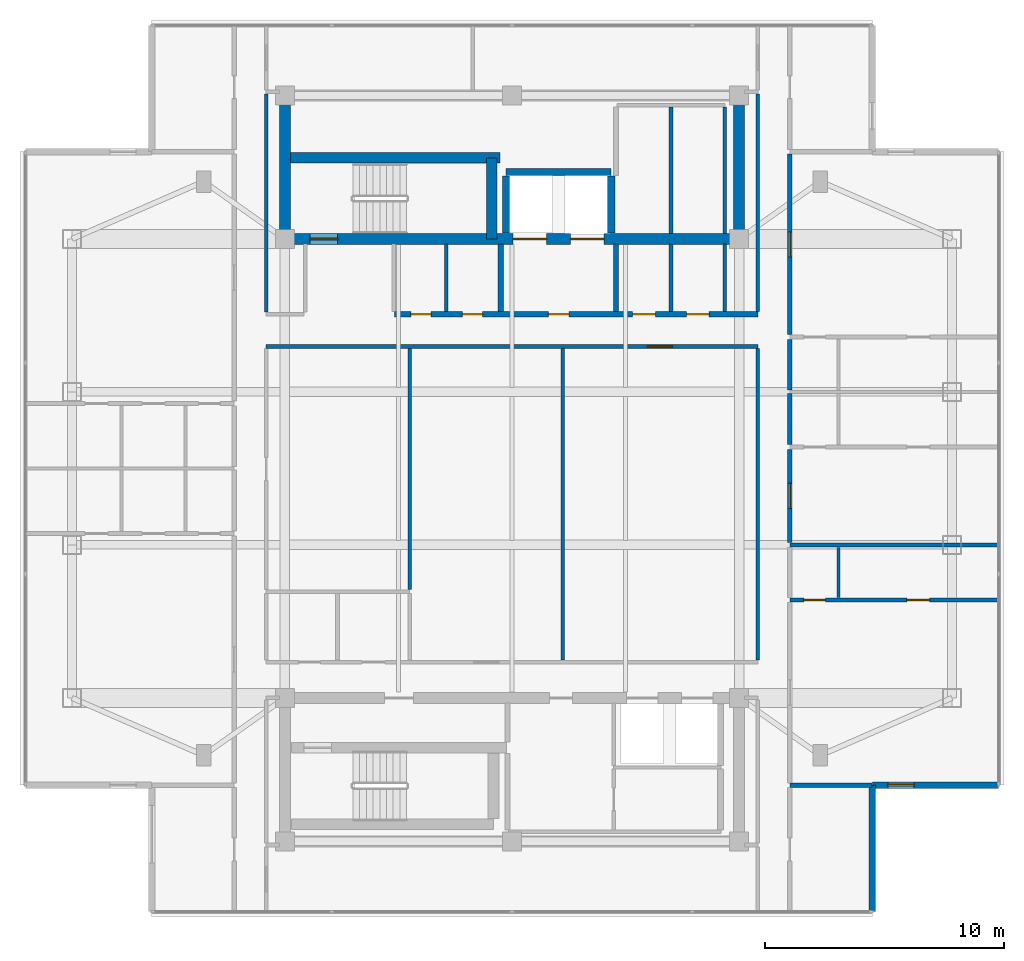
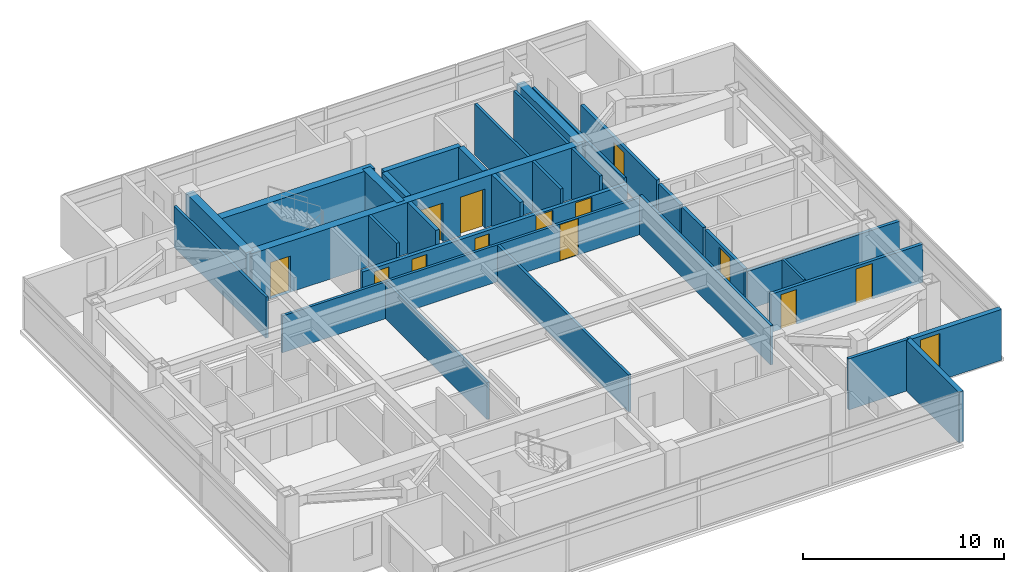
# One storey, part 8 of 12: 32 walls, 13 doors, 1 window, 14 openings.
"""IFC4 building model written with IfcOpenShell, lengths in metres."""

from ifc_helpers import new_model, si_unit, direction, frame, frame_2d, origin, place, context, subcontext, project, spatial, rectangle, extrude, material, layer, layer_set, type_object, element, fill, save


model = new_model("IFC4")

# Units and contexts
model_context = context("Model", 3, precision=1e-05, world=origin(), true_north=direction((0.0, 1.0)))
body_context = subcontext(model_context, "Body", "Model", "MODEL_VIEW")
ifc_project = project(units=[si_unit("LENGTHUNIT", "METRE"), si_unit("AREAUNIT", "SQUARE_METRE"), si_unit("VOLUMEUNIT", "CUBIC_METRE"), si_unit("PLANEANGLEUNIT", "RADIAN"), si_unit("MASSUNIT", "GRAM", prefix="KILO")], contexts=[model_context])

# Site, building, storey
site_placement = place(None, origin())
site = spatial("IfcSite", under=ifc_project, at=site_placement, CompositionType="ELEMENT")
building_placement = place(site_placement, origin())
building = spatial("IfcBuilding", under=site, at=building_placement, Name="Mirazonda Arch Towers", CompositionType="ELEMENT")
storey_placement = place(building_placement, frame((0.0, 0.0, 222.699951171875)))
storey = spatial("IfcBuildingStorey", under=building, at=storey_placement, Name="L63", CompositionType="ELEMENT", Elevation=222.699951171875)

# Walls
ifc_material_1 = material(Name="Concrete C50/60", Category="concrete")
ifc_layer_1 = layer(ifc_material_1, 0.449951171875, Name="WALL-CORE-450")
ifc_layer_set_1 = layer_set([ifc_layer_1], Name="Concrete C50/60")
wall_type_1 = type_object("IfcWallType", Name="WALL-CORE-450", PredefinedType="SHEAR", material=ifc_layer_set_1)
for number, where, z_axis, x_axis, name in (
    (1, (11.0, 37.60009765625, 0.0), (0.0, 0.0, 1.0), (0.0, 1.0, 0.0), "L63 T1N-W Core Shear Wall"),
    (2, (30.0, 37.60009765625, 0.0), (0.0, 0.0, 1.0), (0.0, 1.0, 0.0), "L63 T1N-E Core Shear Wall"),
):
    element("IfcWall", number, at=place(storey_placement, frame(where, z_axis=z_axis, x_axis=x_axis)), inside=storey, type_object=wall_type_1, Name=name, PredefinedType="SHEAR", context=body_context, shape_type="SweptSolid", body=[
        extrude(rectangle(XDim=6.0, YDim=0.449951171875, at=frame_2d((3.0, 0.0))), origin(), (0.0, 0.0, 1.0), 3.10009765625),
    ])

# Wall, openings, doors
wall_1_placement = place(storey_placement, frame((11.0, 37.60009765625, 0.0), z_axis=(0.0, 0.0, 1.0), x_axis=(1.0, 0.0, 0.0)))
wall_1 = element("IfcWall", 3, at=wall_1_placement, inside=storey, type_object=wall_type_1, Name="L63 T1N-S Core Shear Wall", PredefinedType="SHEAR", context=body_context, shape_type="SweptSolid", body=[
    extrude(rectangle(XDim=19.0, YDim=0.449951171875, at=frame_2d((9.5, 0.0))), origin(), (0.0, 0.0, 1.0), 3.10009765625),
])
opening_1_placement = place(wall_1_placement, frame((1.06005859375, 0.0, 0.0)))
opening_1 = element("IfcOpeningElement", 4, at=opening_1_placement, cuts=wall_1, Name="Opening DR-135", PredefinedType="OPENING", context=body_context, shape_type="SweptSolid", body=[
    extrude(rectangle(XDim=1.14990234375, YDim=2.199951171875, at=frame_2d((0.574951171875, 1.10009765625))), frame((0.0, 0.23486328125, 0.0), z_axis=(0.0, -1.0, 0.0), x_axis=(1.0, 0.0, 0.0)), (0.0, 0.0, 1.0), 0.469970703125),
])
opening_2_placement = place(wall_1_placement, frame((9.550048828125, 0.0, 0.0)))
opening_2 = element("IfcOpeningElement", 5, at=opening_2_placement, cuts=wall_1, Name="Opening LD-112", PredefinedType="OPENING", context=body_context, shape_type="SweptSolid", body=[
    extrude(rectangle(XDim=1.39990234375, YDim=2.35009765625, at=frame_2d((0.699951171875, 1.175048828125))), frame((0.0, 0.23486328125, 0.0), z_axis=(0.0, -1.0, 0.0), x_axis=(1.0, 0.0, 0.0)), (0.0, 0.0, 1.0), 0.469970703125),
])
opening_3_placement = place(wall_1_placement, frame((11.949951171875, 0.0, 0.0)))
opening_3 = element("IfcOpeningElement", 6, at=opening_3_placement, cuts=wall_1, Name="Opening LD-112", PredefinedType="OPENING", context=body_context, shape_type="SweptSolid", body=[
    extrude(rectangle(XDim=1.39990234375, YDim=2.35009765625, at=frame_2d((0.699951171875, 1.175048828125))), frame((0.0, 0.23486328125, 0.0), z_axis=(0.0, -1.0, 0.0), x_axis=(1.0, 0.0, 0.0)), (0.0, 0.0, 1.0), 0.469970703125),
])
ifc_material_2 = material(Name="Architectural Brushed Steel S355", Category="steel")
door_type_1 = type_object("IfcDoorType", Name="DOOR-LIFT-FFL-1400", OperationType="NOTDEFINED", PredefinedType="DOOR", material=ifc_material_2)
door_1_placement = place(opening_2_placement, origin())
door_1 = element("IfcDoor", 7, at=door_1_placement, inside=storey, type_object=door_type_1, Name="L63 Lift Landing Sliding Door FFL-T1", OperationType="DOUBLE_DOOR_SLIDING", OverallHeight=2.35009765625, OverallWidth=1.39990234375, PredefinedType="DOOR", context=body_context, shape_type="SweptSolid", body=[
    extrude(rectangle(XDim=1.39990234375, YDim=2.35009765625, at=frame_2d((0.699951171875, 1.175048828125))), frame((0.0, 0.02490234375, 0.0), z_axis=(0.0, -1.0, 0.0), x_axis=(1.0, 0.0, 0.0)), (0.0, 0.0, 1.0), 0.050048828125),
])
fill(opening_2, door_1)
door_2_placement = place(opening_3_placement, origin())
door_2 = element("IfcDoor", 8, at=door_2_placement, inside=storey, type_object=door_type_1, Name="L63 Lift Landing Sliding Door SVL-T1", OperationType="DOUBLE_DOOR_SLIDING", OverallHeight=2.35009765625, OverallWidth=1.39990234375, PredefinedType="DOOR", context=body_context, shape_type="SweptSolid", body=[
    extrude(rectangle(XDim=1.39990234375, YDim=2.35009765625, at=frame_2d((0.699951171875, 1.175048828125))), frame((0.0, 0.02490234375, 0.0), z_axis=(0.0, -1.0, 0.0), x_axis=(1.0, 0.0, 0.0)), (0.0, 0.0, 1.0), 0.050048828125),
])
fill(opening_3, door_2)
door_type_2 = type_object("IfcDoorType", Name="DOOR-STAIR-FD90-1150", OperationType="NOTDEFINED", PredefinedType="DOOR", material=ifc_material_2)
door_3_placement = place(opening_1_placement, origin())
door_3 = element("IfcDoor", 9, at=door_3_placement, inside=storey, type_object=door_type_2, Name="L63 Protected Exit Stair North Door", OperationType="SINGLE_SWING_LEFT", OverallHeight=2.199951171875, OverallWidth=1.14990234375, PredefinedType="DOOR", context=body_context, shape_type="SweptSolid", body=[
    extrude(rectangle(XDim=1.14990234375, YDim=2.199951171875, at=frame_2d((0.574951171875, 1.10009765625))), frame((0.0, 0.02490234375, 0.0), z_axis=(0.0, -1.0, 0.0), x_axis=(1.0, 0.0, 0.0)), (0.0, 0.0, 1.0), 0.050048828125),
])
fill(opening_1, door_3)

# Walls
wall_2_placement = place(storey_placement, frame((11.0, 40.992919921875, 0.0), z_axis=(0.0, 0.0, 1.0), x_axis=(1.0, 0.0, 0.0)))
element("IfcWall", 10, at=wall_2_placement, inside=storey, type_object=wall_type_1, Name="L63 T1N-STN Core Shear Wall", PredefinedType="SHEAR", context=body_context, shape_type="SweptSolid", body=[
    extrude(rectangle(XDim=9.0, YDim=0.449951171875, at=frame_2d((4.5, 0.0))), origin(), (0.0, 0.0, 1.0), 3.10009765625),
])
wall_3_placement = place(storey_placement, frame((19.64990234375, 37.60009765625, 0.0), z_axis=(0.0, 0.0, 1.0), x_axis=(0.0, 1.0, 0.0)))
element("IfcWall", 11, at=wall_3_placement, inside=storey, type_object=wall_type_1, Name="L63 T1N-STE Core Shear Wall", PredefinedType="SHEAR", context=body_context, shape_type="SweptSolid", body=[
    extrude(rectangle(XDim=3.392822265625, YDim=0.449951171875, at=frame_2d((1.6962890625, 0.0))), origin(), (0.0, 0.0, 1.0), 3.10009765625),
])

# Wall, opening, window
ifc_material_3 = material(Name="Precast Concrete C40/50", Category="concrete")
ifc_layer_2 = layer(ifc_material_3, 0.280029296875, Name="WALL-EXT-WALL-280")
ifc_layer_set_2 = layer_set([ifc_layer_2], Name="Precast Concrete C40/50")
wall_type_2 = type_object("IfcWallType", Name="WALL-EXT-WALL-280", PredefinedType="SOLIDWALL", material=ifc_layer_set_2)
wall_4_placement = place(storey_placement, frame((35.570068359375, 14.751953125, 0.0), z_axis=(0.0, 0.0, 1.0), x_axis=(1.0, 0.0, 0.0)))
wall_4 = element("IfcWall", 12, at=wall_4_placement, inside=storey, type_object=wall_type_2, Name="L63 T1 Corner Notch Return Wall WL-L63-T1-CSE1", PredefinedType="SOLIDWALL", context=body_context, shape_type="SweptSolid", body=[
    extrude(rectangle(XDim=5.2900390625, YDim=0.280029296875, at=frame_2d((2.64501953125, 0.0))), origin(), (0.0, 0.0, 1.0), 3.080078125),
])
opening_4_placement = place(wall_4_placement, frame((0.64990234375, 0.0, 0.85009765625)))
opening_4 = element("IfcOpeningElement", 13, at=opening_4_placement, cuts=wall_4, Name="Opening WN-108", PredefinedType="OPENING", context=body_context, shape_type="SweptSolid", body=[
    extrude(rectangle(XDim=1.10009765625, YDim=2.0, at=frame_2d((0.550048828125, 1.0))), frame((0.0, 0.14990234375, 0.0), z_axis=(0.0, -1.0, 0.0), x_axis=(1.0, 0.0, 0.0)), (0.0, 0.0, 1.0), 0.300048828125),
])
ifc_material_4 = material(Name="Insulated Low-E Solar Glass", Category="glass")
window_type = type_object("IfcWindowType", Name="WIN-NOTCH-1100x2000", PartitioningType="SINGLE_PANEL", PredefinedType="WINDOW", material=ifc_material_4)
window_placement = place(opening_4_placement, origin())
window = element("IfcWindow", 14, at=window_placement, inside=storey, type_object=window_type, Name="L63 Punched Facade Window WN-L63-T1-CSE1", OverallHeight=2.0, OverallWidth=1.10009765625, PartitioningType="SINGLE_PANEL", PredefinedType="WINDOW", context=body_context, shape_type="SweptSolid", body=[
    extrude(rectangle(XDim=1.10009765625, YDim=2.0, at=frame_2d((0.550048828125, 1.0))), frame((0.0, 0.030029296875, 0.0), z_axis=(0.0, -1.0, 0.0), x_axis=(1.0, 0.0, 0.0)), (0.0, 0.0, 1.0), 0.06005859375),
])
fill(opening_4, window)

# Wall
wall_5_placement = place(storey_placement, frame((35.570068359375, 9.4619140625, 0.0), z_axis=(0.0, 0.0, 1.0), x_axis=(0.0, 1.0, 0.0)))
element("IfcWall", 15, at=wall_5_placement, inside=storey, type_object=wall_type_2, Name="L63 T1 Corner Notch Return Wall WL-L63-T1-CSE2", PredefinedType="SOLIDWALL", context=body_context, shape_type="SweptSolid", body=[
    extrude(rectangle(XDim=5.2900390625, YDim=0.280029296875, at=frame_2d((2.64501953125, 0.0))), origin(), (0.0, 0.0, 1.0), 3.080078125),
])

# Wall, openings, doors
ifc_material_5 = material(Name="Concrete C40/50", Category="concrete")
ifc_layer_3 = layer(ifc_material_5, 0.219970703125, Name="WALL-FFL-220")
ifc_layer_set_3 = layer_set([ifc_layer_3], Name="Concrete C40/50")
wall_type_3 = type_object("IfcWallType", Name="WALL-FFL-220", PredefinedType="SOLIDWALL", material=ifc_layer_set_3)
wall_6_placement = place(storey_placement, frame((15.590087890625, 34.449951171875, 0.0), z_axis=(0.0, 0.0, 1.0), x_axis=(1.0, 0.0, 0.0)))
wall_6 = element("IfcWall", 16, at=wall_6_placement, inside=storey, type_object=wall_type_3, Name="L63 Interior Partition 023", PredefinedType="SOLIDWALL", context=body_context, shape_type="SweptSolid", body=[
    extrude(rectangle(XDim=15.18994140625, YDim=0.219970703125, at=frame_2d((7.594970703125, 0.0))), origin(), (0.0, 0.0, 1.0), 2.236083984375),
])
opening_5_placement = place(wall_6_placement, frame((6.43505859375, 0.0, 0.0)))
opening_5 = element("IfcOpeningElement", 17, at=opening_5_placement, cuts=wall_6, Name="Opening DR-128", PredefinedType="OPENING", context=body_context, shape_type="SweptSolid", body=[
    extrude(rectangle(XDim=0.85009765625, YDim=2.010009765625, at=frame_2d((0.425048828125, 1.0048828125))), frame((0.0, 0.119873046875, 0.0), z_axis=(0.0, -1.0, 0.0), x_axis=(1.0, 0.0, 0.0)), (0.0, 0.0, 1.0), 0.239990234375),
])
opening_6_placement = place(wall_6_placement, frame((9.9599609375, 0.0, 0.0)))
opening_6 = element("IfcOpeningElement", 18, at=opening_6_placement, cuts=wall_6, Name="Opening DR-104", PredefinedType="OPENING", context=body_context, shape_type="SweptSolid", body=[
    extrude(rectangle(XDim=0.949951171875, YDim=2.14990234375, at=frame_2d((0.47509765625, 1.074951171875))), frame((0.0, 0.119873046875, 0.0), z_axis=(0.0, -1.0, 0.0), x_axis=(1.0, 0.0, 0.0)), (0.0, 0.0, 1.0), 0.239990234375),
])
opening_7_placement = place(wall_6_placement, frame((12.2099609375, 0.0, 0.0)))
opening_7 = element("IfcOpeningElement", 19, at=opening_7_placement, cuts=wall_6, Name="Opening DR-104", PredefinedType="OPENING", context=body_context, shape_type="SweptSolid", body=[
    extrude(rectangle(XDim=0.949951171875, YDim=2.14990234375, at=frame_2d((0.47509765625, 1.074951171875))), frame((0.0, 0.119873046875, 0.0), z_axis=(0.0, -1.0, 0.0), x_axis=(1.0, 0.0, 0.0)), (0.0, 0.0, 1.0), 0.239990234375),
])
opening_8_placement = place(wall_6_placement, frame((0.675048828125, 0.0, 0.0)))
opening_8 = element("IfcOpeningElement", 20, at=opening_8_placement, cuts=wall_6, Name="Opening DR-128", PredefinedType="OPENING", context=body_context, shape_type="SweptSolid", body=[
    extrude(rectangle(XDim=0.85009765625, YDim=2.010009765625, at=frame_2d((0.425048828125, 1.0048828125))), frame((0.0, 0.119873046875, 0.0), z_axis=(0.0, -1.0, 0.0), x_axis=(1.0, 0.0, 0.0)), (0.0, 0.0, 1.0), 0.239990234375),
])
opening_9_placement = place(wall_6_placement, frame((2.8349609375, 0.0, 0.0)))
opening_9 = element("IfcOpeningElement", 21, at=opening_9_placement, cuts=wall_6, Name="Opening DR-128", PredefinedType="OPENING", context=body_context, shape_type="SweptSolid", body=[
    extrude(rectangle(XDim=0.85009765625, YDim=2.010009765625, at=frame_2d((0.425048828125, 1.0048828125))), frame((0.0, 0.119873046875, 0.0), z_axis=(0.0, -1.0, 0.0), x_axis=(1.0, 0.0, 0.0)), (0.0, 0.0, 1.0), 0.239990234375),
])
door_type_3 = type_object("IfcDoorType", Name="DOOR-RISER-FD60-850", OperationType="NOTDEFINED", PredefinedType="DOOR", material=ifc_material_2)
door_4_placement = place(opening_5_placement, origin())
door_4 = element("IfcDoor", 22, at=door_4_placement, inside=storey, type_object=door_type_3, Name="L63 Firefighting Lift Lobby Door", OperationType="SINGLE_SWING_RIGHT", OverallHeight=2.010009765625, OverallWidth=0.85009765625, PredefinedType="DOOR", context=body_context, shape_type="SweptSolid", body=[
    extrude(rectangle(XDim=0.85009765625, YDim=2.010009765625, at=frame_2d((0.425048828125, 1.0048828125))), frame((0.0, 0.02490234375, 0.0), z_axis=(0.0, -1.0, 0.0), x_axis=(1.0, 0.0, 0.0)), (0.0, 0.0, 1.0), 0.050048828125),
])
fill(opening_5, door_4)
door_5_placement = place(opening_8_placement, origin())
door_5 = element("IfcDoor", 23, at=door_5_placement, inside=storey, type_object=door_type_3, Name="L63 Electrical Room Door", OperationType="SINGLE_SWING_LEFT", OverallHeight=2.010009765625, OverallWidth=0.85009765625, PredefinedType="DOOR", context=body_context, shape_type="SweptSolid", body=[
    extrude(rectangle(XDim=0.85009765625, YDim=2.010009765625, at=frame_2d((0.425048828125, 1.0048828125))), frame((0.0, 0.02490234375, 0.0), z_axis=(0.0, -1.0, 0.0), x_axis=(1.0, 0.0, 0.0)), (0.0, 0.0, 1.0), 0.050048828125),
])
fill(opening_8, door_5)
door_6_placement = place(opening_9_placement, origin())
door_6 = element("IfcDoor", 24, at=door_6_placement, inside=storey, type_object=door_type_3, Name="L63 Cleaners & Housekeeping Store Door", OperationType="SINGLE_SWING_RIGHT", OverallHeight=2.010009765625, OverallWidth=0.85009765625, PredefinedType="DOOR", context=body_context, shape_type="SweptSolid", body=[
    extrude(rectangle(XDim=0.85009765625, YDim=2.010009765625, at=frame_2d((0.425048828125, 1.0048828125))), frame((0.0, 0.02490234375, 0.0), z_axis=(0.0, -1.0, 0.0), x_axis=(1.0, 0.0, 0.0)), (0.0, 0.0, 1.0), 0.050048828125),
])
fill(opening_9, door_6)
door_type_4 = type_object("IfcDoorType", Name="DOOR-ROOM-950", OperationType="NOTDEFINED", PredefinedType="DOOR", material=ifc_material_2)
door_7_placement = place(opening_6_placement, origin())
door_7 = element("IfcDoor", 25, at=door_7_placement, inside=storey, type_object=door_type_4, Name="L63 Residents Private Art Gallery Door", OperationType="SINGLE_SWING_LEFT", OverallHeight=2.14990234375, OverallWidth=0.949951171875, PredefinedType="DOOR", context=body_context, shape_type="SweptSolid", body=[
    extrude(rectangle(XDim=0.949951171875, YDim=2.14990234375, at=frame_2d((0.47509765625, 1.074951171875))), frame((0.0, 0.02490234375, 0.0), z_axis=(0.0, -1.0, 0.0), x_axis=(1.0, 0.0, 0.0)), (0.0, 0.0, 1.0), 0.050048828125),
])
fill(opening_6, door_7)
door_8_placement = place(opening_7_placement, origin())
door_8 = element("IfcDoor", 26, at=door_8_placement, inside=storey, type_object=door_type_4, Name="L63 Private Quiet Study Door", OperationType="SINGLE_SWING_RIGHT", OverallHeight=2.14990234375, OverallWidth=0.949951171875, PredefinedType="DOOR", context=body_context, shape_type="SweptSolid", body=[
    extrude(rectangle(XDim=0.949951171875, YDim=2.14990234375, at=frame_2d((0.47509765625, 1.074951171875))), frame((0.0, 0.02490234375, 0.0), z_axis=(0.0, -1.0, 0.0), x_axis=(1.0, 0.0, 0.0)), (0.0, 0.0, 1.0), 0.050048828125),
])
fill(opening_7, door_8)

# Walls
for number, where, z_axis, x_axis, name in (
    (27, (20.02490234375, 34.570068359375, 0.0), (0.0, 0.0, 1.0), (0.0, 1.0, 0.0), "L63 Interior Partition 054"),
    (28, (24.85009765625, 34.570068359375, 0.0), (0.0, 0.0, 1.0), (0.0, 1.0, 0.0), "L63 Interior Partition 062"),
):
    element("IfcWall", number, at=place(storey_placement, frame(where, z_axis=z_axis, x_axis=x_axis)), inside=storey, type_object=wall_type_3, Name=name, PredefinedType="SOLIDWALL", context=body_context, shape_type="SweptSolid", body=[
        extrude(rectangle(XDim=2.809814453125, YDim=0.219970703125, at=frame_2d((1.40478515625, 0.0))), origin(), (0.0, 0.0, 1.0), 3.10009765625),
    ])

# Wall, opening, door
ifc_material_6 = material(Name="Fire-Rated Gypsum Stud Partition")
ifc_layer_4 = layer(ifc_material_6, 0.14990234375, Name="WALL-PART-CORR-150")
ifc_layer_set_4 = layer_set([ifc_layer_4], Name="Fire-Rated Gypsum Stud Partition")
wall_type_4 = type_object("IfcWallType", Name="WALL-PART-CORR-150", PredefinedType="PARTITIONING", material=ifc_layer_set_4)
wall_7_placement = place(storey_placement, frame((10.219970703125, 33.10009765625, 0.0), z_axis=(0.0, 0.0, 1.0), x_axis=(1.0, 0.0, 0.0)))
wall_7 = element("IfcWall", 29, at=wall_7_placement, inside=storey, type_object=wall_type_4, Name="L63 Interior Partition 020", PredefinedType="PARTITIONING", context=body_context, shape_type="SweptSolid", body=[
    extrude(rectangle(XDim=20.56005859375, YDim=0.14990234375, at=frame_2d((10.280029296875, 0.0))), origin(), (0.0, 0.0, 1.0), 2.236083984375),
])
opening_10_placement = place(wall_7_placement, frame((15.93798828125, 0.0, 0.0)))
opening_10 = element("IfcOpeningElement", 30, at=opening_10_placement, cuts=wall_7, Name="Opening DR-121", PredefinedType="OPENING", context=body_context, shape_type="SweptSolid", body=[
    extrude(rectangle(XDim=1.050048828125, YDim=2.199951171875, at=frame_2d((0.52490234375, 1.10009765625))), frame((0.0, 0.0849609375, 0.0), z_axis=(0.0, -1.0, 0.0), x_axis=(1.0, 0.0, 0.0)), (0.0, 0.0, 1.0), 0.169921875),
])
door_type_5 = type_object("IfcDoorType", Name="DOOR-SUITE-FD60-1050", OperationType="NOTDEFINED", PredefinedType="DOOR", material=ifc_material_2)
door_9_placement = place(opening_10_placement, origin())
door_9 = element("IfcDoor", 31, at=door_9_placement, inside=storey, type_object=door_type_5, Name="L63 Chamber Music & Screening Salon Door", OperationType="SINGLE_SWING_RIGHT", OverallHeight=2.199951171875, OverallWidth=1.050048828125, PredefinedType="DOOR", context=body_context, shape_type="SweptSolid", body=[
    extrude(rectangle(XDim=1.050048828125, YDim=2.199951171875, at=frame_2d((0.52490234375, 1.10009765625))), frame((0.0, 0.02490234375, 0.0), z_axis=(0.0, -1.0, 0.0), x_axis=(1.0, 0.0, 0.0)), (0.0, 0.0, 1.0), 0.050048828125),
])
fill(opening_10, door_9)

# Walls
wall_8_placement = place(storey_placement, frame((10.219970703125, 34.534912109375, 0.0), z_axis=(0.0, 0.0, 1.0), x_axis=(0.0, 1.0, 0.0)))
element("IfcWall", 32, at=wall_8_placement, inside=storey, type_object=wall_type_4, Name="L63 Interior Partition 044", PredefinedType="PARTITIONING", context=body_context, shape_type="SweptSolid", body=[
    extrude(rectangle(XDim=9.130126953125, YDim=0.14990234375, at=frame_2d((4.56494140625, 0.0))), origin(), (0.0, 0.0, 1.0), 2.491943359375),
])
wall_9_placement = place(storey_placement, frame((16.219970703125, 22.93505859375, 0.0), z_axis=(0.0, 0.0, 1.0), x_axis=(0.0, 1.0, 0.0)))
element("IfcWall", 33, at=wall_9_placement, inside=storey, type_object=wall_type_4, Name="L63 Interior Partition 050", PredefinedType="PARTITIONING", context=body_context, shape_type="SweptSolid", body=[
    extrude(rectangle(XDim=10.079833984375, YDim=0.14990234375, at=frame_2d((5.0400390625, 0.0))), origin(), (0.0, 0.0, 1.0), 2.236083984375),
])
wall_10_placement = place(storey_placement, frame((17.75, 34.570068359375, 0.0), z_axis=(0.0, 0.0, 1.0), x_axis=(0.0, 1.0, 0.0)))
element("IfcWall", 34, at=wall_10_placement, inside=storey, type_object=wall_type_4, Name="L63 Interior Partition 051", PredefinedType="PARTITIONING", context=body_context, shape_type="SweptSolid", body=[
    extrude(rectangle(XDim=2.809814453125, YDim=0.14990234375, at=frame_2d((1.40478515625, 0.0))), origin(), (0.0, 0.0, 1.0), 3.10009765625),
])
wall_11_placement = place(storey_placement, frame((22.6259765625, 19.985107421875, 0.0), z_axis=(0.0, 0.0, 1.0), x_axis=(0.0, 1.0, 0.0)))
element("IfcWall", 35, at=wall_11_placement, inside=storey, type_object=wall_type_4, Name="L63 Interior Partition 058", PredefinedType="PARTITIONING", context=body_context, shape_type="SweptSolid", body=[
    extrude(rectangle(XDim=13.02978515625, YDim=0.14990234375, at=frame_2d((6.514892578125, 0.0))), origin(), (0.0, 0.0, 1.0), 2.236083984375),
])
wall_12_placement = place(storey_placement, frame((27.14990234375, 34.570068359375, 0.0), z_axis=(0.0, 0.0, 1.0), x_axis=(0.0, 1.0, 0.0)))
element("IfcWall", 36, at=wall_12_placement, inside=storey, type_object=wall_type_4, Name="L63 Interior Partition 064", PredefinedType="PARTITIONING", context=body_context, shape_type="SweptSolid", body=[
    extrude(rectangle(XDim=2.809814453125, YDim=0.14990234375, at=frame_2d((1.40478515625, 0.0))), origin(), (0.0, 0.0, 1.0), 3.10009765625),
])
wall_13_placement = place(storey_placement, frame((27.14990234375, 37.820068359375, 0.0), z_axis=(0.0, 0.0, 1.0), x_axis=(0.0, 1.0, 0.0)))
element("IfcWall", 37, at=wall_13_placement, inside=storey, type_object=wall_type_4, Name="L63 Interior Partition 065", PredefinedType="PARTITIONING", context=body_context, shape_type="SweptSolid", body=[
    extrude(rectangle(XDim=5.294921875, YDim=0.14990234375, at=frame_2d((2.6474609375, 0.0))), origin(), (0.0, 0.0, 1.0), 3.10009765625),
])
wall_14_placement = place(storey_placement, frame((29.39990234375, 34.570068359375, 0.0), z_axis=(0.0, 0.0, 1.0), x_axis=(0.0, 1.0, 0.0)))
element("IfcWall", 38, at=wall_14_placement, inside=storey, type_object=wall_type_4, Name="L63 Interior Partition 068", PredefinedType="PARTITIONING", context=body_context, shape_type="SweptSolid", body=[
    extrude(rectangle(XDim=2.809814453125, YDim=0.14990234375, at=frame_2d((1.40478515625, 0.0))), origin(), (0.0, 0.0, 1.0), 3.10009765625),
])
wall_15_placement = place(storey_placement, frame((29.39990234375, 37.820068359375, 0.0), z_axis=(0.0, 0.0, 1.0), x_axis=(0.0, 1.0, 0.0)))
element("IfcWall", 39, at=wall_15_placement, inside=storey, type_object=wall_type_4, Name="L63 Interior Partition 069", PredefinedType="PARTITIONING", context=body_context, shape_type="SweptSolid", body=[
    extrude(rectangle(XDim=5.294921875, YDim=0.14990234375, at=frame_2d((2.6474609375, 0.0))), origin(), (0.0, 0.0, 1.0), 3.10009765625),
])
wall_16_placement = place(storey_placement, frame((30.780029296875, 19.985107421875, 0.0), z_axis=(0.0, 0.0, 1.0), x_axis=(0.0, 1.0, 0.0)))
element("IfcWall", 40, at=wall_16_placement, inside=storey, type_object=wall_type_4, Name="L63 Interior Partition 072", PredefinedType="PARTITIONING", context=body_context, shape_type="SweptSolid", body=[
    extrude(rectangle(XDim=13.02978515625, YDim=0.14990234375, at=frame_2d((6.514892578125, 0.0))), origin(), (0.0, 0.0, 1.0), 2.39599609375),
])
wall_17_placement = place(storey_placement, frame((30.780029296875, 34.570068359375, 0.0), z_axis=(0.0, 0.0, 1.0), x_axis=(0.0, 1.0, 0.0)))
element("IfcWall", 41, at=wall_17_placement, inside=storey, type_object=wall_type_4, Name="L63 Interior Partition 073", PredefinedType="PARTITIONING", context=body_context, shape_type="SweptSolid", body=[
    extrude(rectangle(XDim=9.094970703125, YDim=0.14990234375, at=frame_2d((4.54736328125, 0.0))), origin(), (0.0, 0.0, 1.0), 2.491943359375),
])
ifc_material_7 = material(Name="Fire-Rated Gypsum Twin-Stud Assembly")
ifc_layer_5 = layer(ifc_material_7, 0.179931640625, Name="WALL-PART-DEMISE-180")
ifc_layer_set_5 = layer_set([ifc_layer_5], Name="Fire-Rated Gypsum Twin-Stud Assembly")
wall_type_5 = type_object("IfcWallType", Name="WALL-PART-DEMISE-180", PredefinedType="PARTITIONING", material=ifc_layer_set_5)
wall_18_placement = place(storey_placement, frame((32.1201171875, 14.751953125, 0.0), z_axis=(0.0, 0.0, 1.0), x_axis=(1.0, 0.0, 0.0)))
element("IfcWall", 42, at=wall_18_placement, inside=storey, type_object=wall_type_5, Name="L63 Interior Partition 006", PredefinedType="PARTITIONING", context=body_context, shape_type="SweptSolid", body=[
    extrude(rectangle(XDim=3.429931640625, YDim=0.179931640625, at=frame_2d((1.71484375, 0.0))), origin(), (0.0, 0.0, 1.0), 3.10009765625),
])

# Wall, openings, doors
wall_19_placement = place(storey_placement, frame((32.1201171875, 22.5, 0.0), z_axis=(0.0, 0.0, 1.0), x_axis=(1.0, 0.0, 0.0)))
wall_19 = element("IfcWall", 43, at=wall_19_placement, inside=storey, type_object=wall_type_5, Name="L63 Interior Partition 012", PredefinedType="PARTITIONING", context=body_context, shape_type="SweptSolid", body=[
    extrude(rectangle(XDim=8.739990234375, YDim=0.179931640625, at=frame_2d((4.3701171875, 0.0))), origin(), (0.0, 0.0, 1.0), 2.319091796875),
])
opening_11_placement = place(wall_19_placement, frame((4.89501953125, 0.0, 0.0)))
opening_11 = element("IfcOpeningElement", 44, at=opening_11_placement, cuts=wall_19, Name="Opening DR-104", PredefinedType="OPENING", context=body_context, shape_type="SweptSolid", body=[
    extrude(rectangle(XDim=0.949951171875, YDim=2.14990234375, at=frame_2d((0.47509765625, 1.074951171875))), frame((0.0, 0.099853515625, 0.0), z_axis=(0.0, -1.0, 0.0), x_axis=(1.0, 0.0, 0.0)), (0.0, 0.0, 1.0), 0.199951171875),
])
opening_12_placement = place(wall_19_placement, frame((0.590087890625, 0.0, 0.0)))
opening_12 = element("IfcOpeningElement", 45, at=opening_12_placement, cuts=wall_19, Name="Opening DR-120", PredefinedType="OPENING", context=body_context, shape_type="SweptSolid", body=[
    extrude(rectangle(XDim=0.89990234375, YDim=2.10009765625, at=frame_2d((0.449951171875, 1.050048828125))), frame((0.0, 0.099853515625, 0.0), z_axis=(0.0, -1.0, 0.0), x_axis=(1.0, 0.0, 0.0)), (0.0, 0.0, 1.0), 0.199951171875),
])
door_10_placement = place(opening_11_placement, origin())
door_10 = element("IfcDoor", 46, at=door_10_placement, inside=storey, type_object=door_type_4, Name="L63 Studio 1 Galley Kitchen Door", OperationType="SINGLE_SWING_LEFT", OverallHeight=2.14990234375, OverallWidth=0.949951171875, PredefinedType="DOOR", context=body_context, shape_type="SweptSolid", body=[
    extrude(rectangle(XDim=0.949951171875, YDim=2.14990234375, at=frame_2d((0.47509765625, 1.074951171875))), frame((0.0, 0.02490234375, 0.0), z_axis=(0.0, -1.0, 0.0), x_axis=(1.0, 0.0, 0.0)), (0.0, 0.0, 1.0), 0.050048828125),
])
fill(opening_11, door_10)
door_type_6 = type_object("IfcDoorType", Name="DOOR-WC-900", OperationType="NOTDEFINED", PredefinedType="DOOR", material=ifc_material_2)
door_11_placement = place(opening_12_placement, origin())
door_11 = element("IfcDoor", 47, at=door_11_placement, inside=storey, type_object=door_type_6, Name="L63 Studio 1 Bathroom Door", OperationType="SINGLE_SWING_RIGHT", OverallHeight=2.10009765625, OverallWidth=0.89990234375, PredefinedType="DOOR", context=body_context, shape_type="SweptSolid", body=[
    extrude(rectangle(XDim=0.89990234375, YDim=2.10009765625, at=frame_2d((0.449951171875, 1.050048828125))), frame((0.0, 0.02490234375, 0.0), z_axis=(0.0, -1.0, 0.0), x_axis=(1.0, 0.0, 0.0)), (0.0, 0.0, 1.0), 0.050048828125),
])
fill(opening_12, door_11)

# Wall
wall_20_placement = place(storey_placement, frame((32.1201171875, 24.800048828125, 0.0), z_axis=(0.0, 0.0, 1.0), x_axis=(1.0, 0.0, 0.0)))
element("IfcWall", 48, at=wall_20_placement, inside=storey, type_object=wall_type_5, Name="L63 Interior Partition 014", PredefinedType="PARTITIONING", context=body_context, shape_type="SweptSolid", body=[
    extrude(rectangle(XDim=8.739990234375, YDim=0.179931640625, at=frame_2d((4.3701171875, 0.0))), origin(), (0.0, 0.0, 1.0), 2.319091796875),
])

# Wall, opening, door
wall_21_placement = place(storey_placement, frame((32.1201171875, 24.89990234375, 0.0), z_axis=(0.0, 0.0, 1.0), x_axis=(0.0, 1.0, 0.0)))
wall_21 = element("IfcWall", 49, at=wall_21_placement, inside=storey, type_object=wall_type_5, Name="L63 Interior Partition 078", PredefinedType="PARTITIONING", context=body_context, shape_type="SweptSolid", body=[
    extrude(rectangle(XDim=3.900146484375, YDim=0.179931640625, at=frame_2d((1.9501953125, 0.0))), origin(), (0.0, 0.0, 1.0), 2.39599609375),
])
opening_13_placement = place(wall_21_placement, frame((1.425048828125, 0.0, 0.0)))
opening_13 = element("IfcOpeningElement", 50, at=opening_13_placement, cuts=wall_21, Name="Opening DR-121", PredefinedType="OPENING", context=body_context, shape_type="SweptSolid", body=[
    extrude(rectangle(XDim=1.050048828125, YDim=2.199951171875, at=frame_2d((0.52490234375, 1.10009765625))), frame((0.0, 0.099853515625, 0.0), z_axis=(0.0, -1.0, 0.0), x_axis=(1.0, 0.0, 0.0)), (0.0, 0.0, 1.0), 0.199951171875),
])
door_12_placement = place(opening_13_placement, origin())
door_12 = element("IfcDoor", 51, at=door_12_placement, inside=storey, type_object=door_type_5, Name="L63 Studio Apartment 2 Living Salon Door", OperationType="SINGLE_SWING_LEFT", OverallHeight=2.199951171875, OverallWidth=1.050048828125, PredefinedType="DOOR", context=body_context, shape_type="SweptSolid", body=[
    extrude(rectangle(XDim=1.050048828125, YDim=2.199951171875, at=frame_2d((0.52490234375, 1.10009765625))), frame((0.0, 0.02490234375, 0.0), z_axis=(0.0, -1.0, 0.0), x_axis=(1.0, 0.0, 0.0)), (0.0, 0.0, 1.0), 0.050048828125),
])
fill(opening_13, door_12)

# Walls
for number, where, z_axis, x_axis, name in (
    (52, (32.1201171875, 29.0, 0.0), (0.0, 0.0, 1.0), (0.0, 1.0, 0.0), "L63 Interior Partition 079"),
    (53, (32.1201171875, 31.2724609375, 0.0), (0.0, 0.0, 1.0), (0.0, 1.0, 0.0), "L63 Interior Partition 080"),
):
    element("IfcWall", number, at=place(storey_placement, frame(where, z_axis=z_axis, x_axis=x_axis)), inside=storey, type_object=wall_type_5, Name=name, PredefinedType="PARTITIONING", context=body_context, shape_type="SweptSolid", body=[
        extrude(rectangle(XDim=2.12744140625, YDim=0.179931640625, at=frame_2d((1.063720703125, 0.0))), origin(), (0.0, 0.0, 1.0), 2.39599609375),
    ])

# Wall, opening, door
wall_22_placement = place(storey_placement, frame((32.1201171875, 33.60009765625, 0.0), z_axis=(0.0, 0.0, 1.0), x_axis=(0.0, 1.0, 0.0)))
wall_22 = element("IfcWall", 54, at=wall_22_placement, inside=storey, type_object=wall_type_5, Name="L63 Interior Partition 081", PredefinedType="PARTITIONING", context=body_context, shape_type="SweptSolid", body=[
    extrude(rectangle(XDim=7.5478515625, YDim=0.179931640625, at=frame_2d((3.77392578125, 0.0))), origin(), (0.0, 0.0, 1.0), 2.491943359375),
])
opening_14_placement = place(wall_22_placement, frame((3.2490234375, 0.0, 0.0)))
opening_14 = element("IfcOpeningElement", 55, at=opening_14_placement, cuts=wall_22, Name="Opening DR-121", PredefinedType="OPENING", context=body_context, shape_type="SweptSolid", body=[
    extrude(rectangle(XDim=1.050048828125, YDim=2.199951171875, at=frame_2d((0.52490234375, 1.10009765625))), frame((0.0, 0.099853515625, 0.0), z_axis=(0.0, -1.0, 0.0), x_axis=(1.0, 0.0, 0.0)), (0.0, 0.0, 1.0), 0.199951171875),
])
door_13_placement = place(opening_14_placement, origin())
door_13 = element("IfcDoor", 56, at=door_13_placement, inside=storey, type_object=door_type_5, Name="L63 Studio Apartment 3 Living Salon Door", OperationType="SINGLE_SWING_RIGHT", OverallHeight=2.199951171875, OverallWidth=1.050048828125, PredefinedType="DOOR", context=body_context, shape_type="SweptSolid", body=[
    extrude(rectangle(XDim=1.050048828125, YDim=2.199951171875, at=frame_2d((0.52490234375, 1.10009765625))), frame((0.0, 0.02490234375, 0.0), z_axis=(0.0, -1.0, 0.0), x_axis=(1.0, 0.0, 0.0)), (0.0, 0.0, 1.0), 0.050048828125),
])
fill(opening_14, door_13)

# Walls
ifc_material_8 = material(Name="Acoustic Fire-Rated Gypsum Partition")
ifc_layer_6 = layer(ifc_material_8, 0.125, Name="WALL-PART-UNIT-125")
ifc_layer_set_6 = layer_set([ifc_layer_6], Name="Acoustic Fire-Rated Gypsum Partition")
wall_type_6 = type_object("IfcWallType", Name="WALL-PART-UNIT-125", PredefinedType="PARTITIONING", material=ifc_layer_set_6)
wall_23_placement = place(storey_placement, frame((34.159912109375, 22.60009765625, 0.0), z_axis=(0.0, 0.0, 1.0), x_axis=(0.0, 1.0, 0.0)))
element("IfcWall", 57, at=wall_23_placement, inside=storey, type_object=wall_type_6, Name="L63 Interior Partition 083", PredefinedType="PARTITIONING", context=body_context, shape_type="SweptSolid", body=[
    extrude(rectangle(XDim=2.099853515625, YDim=0.125, at=frame_2d((1.0498046875, 0.0))), origin(), (0.0, 0.0, 1.0), 2.39599609375),
])
ifc_layer_7 = layer(ifc_material_1, 0.300048828125, Name="WALL-SHAFT-300")
ifc_layer_set_7 = layer_set([ifc_layer_7], Name="Concrete C50/60")
wall_type_7 = type_object("IfcWallType", Name="WALL-SHAFT-300", PredefinedType="SOLIDWALL", material=ifc_layer_set_7)
wall_24_placement = place(storey_placement, frame((20.25, 40.39990234375, 0.0), z_axis=(0.0, 0.0, 1.0), x_axis=(1.0, 0.0, 0.0)))
element("IfcWall", 58, at=wall_24_placement, inside=storey, type_object=wall_type_7, Name="L63 Interior Partition 024", PredefinedType="SOLIDWALL", context=body_context, shape_type="SweptSolid", body=[
    extrude(rectangle(XDim=4.39990234375, YDim=0.300048828125, at=frame_2d((2.199951171875, 0.0))), origin(), (0.0, 0.0, 1.0), 3.10009765625),
])
for number, where, z_axis, x_axis, name in (
    (59, (20.25, 37.85009765625, 0.0), (0.0, 0.0, 1.0), (0.0, 1.0, 0.0), "L63 Interior Partition 057"),
    (60, (24.64990234375, 37.85009765625, 0.0), (0.0, 0.0, 1.0), (0.0, 1.0, 0.0), "L63 Interior Partition 061"),
):
    element("IfcWall", number, at=place(storey_placement, frame(where, z_axis=z_axis, x_axis=x_axis)), inside=storey, type_object=wall_type_7, Name=name, PredefinedType="SOLIDWALL", context=body_context, shape_type="SweptSolid", body=[
        extrude(rectangle(XDim=2.389892578125, YDim=0.300048828125, at=frame_2d((1.19482421875, 0.0))), origin(), (0.0, 0.0, 1.0), 3.10009765625),
    ])

save(model, "model.ifc")
